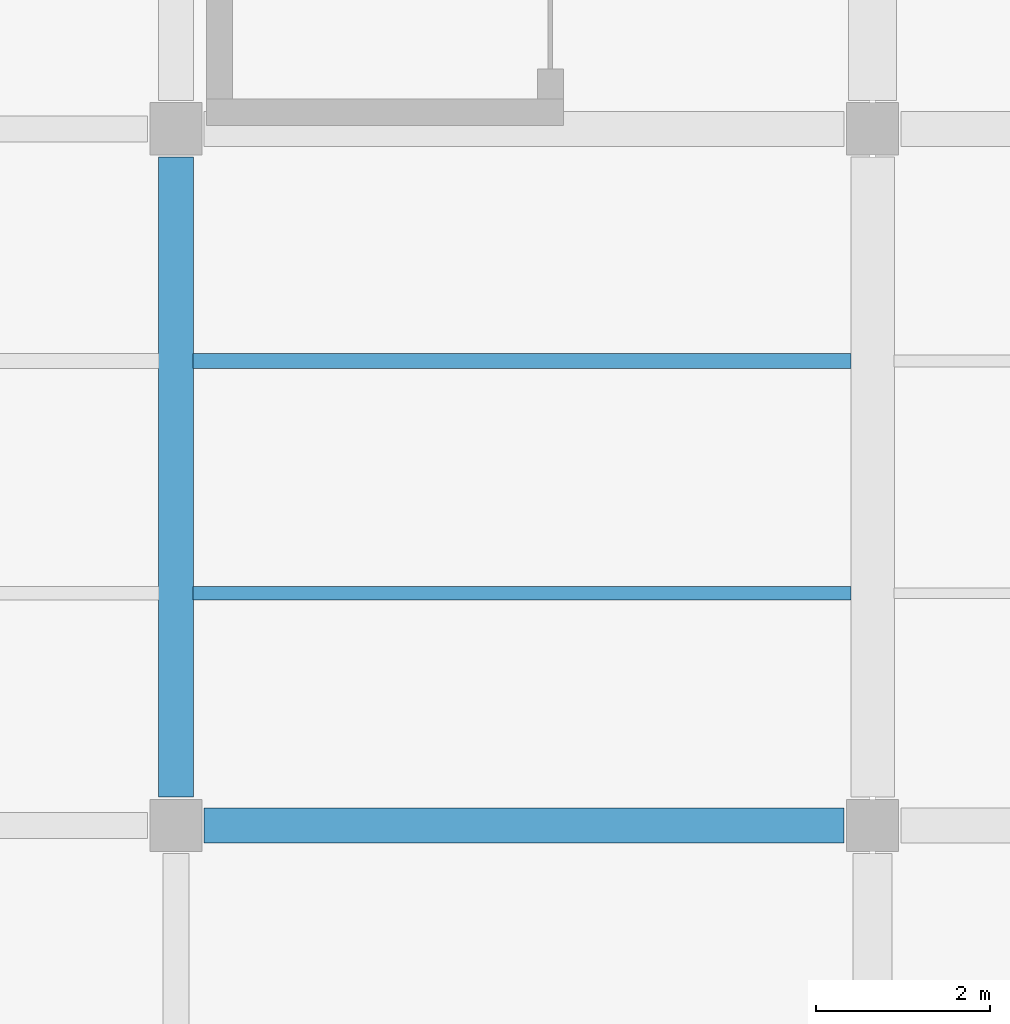
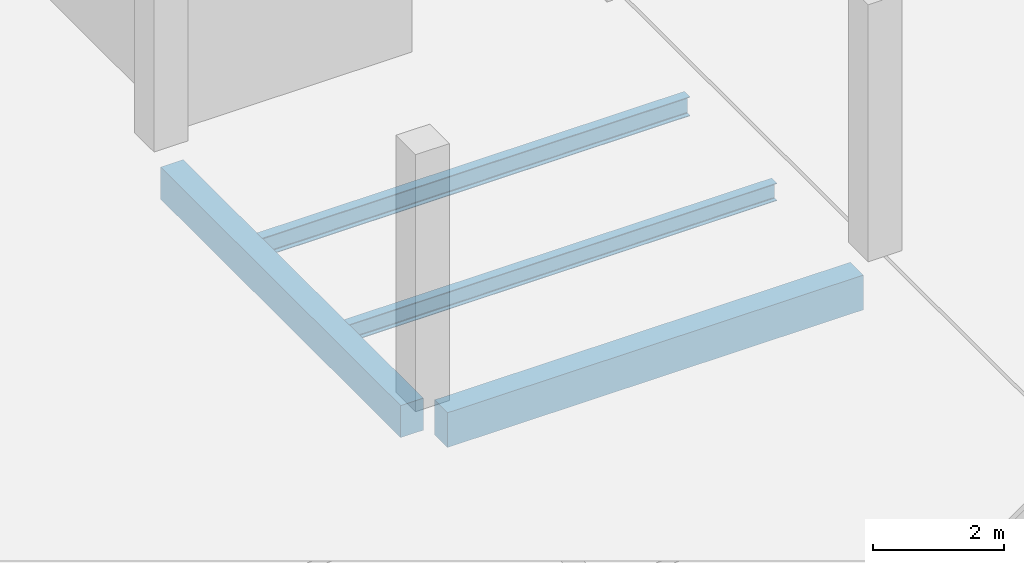
# One storey, part 44 of 156: 4 beams.
"""IFC4 building model written with IfcOpenShell, lengths in metres."""

from ifc_helpers import new_model, si_unit, direction, frame, origin, origin_2d, place, context, subcontext, project, spatial, rectangle, i_section, extrude, material, material_profile, profile_set, type_object, element, save


model = new_model("IFC4")

# Units and contexts
model_context = context("Model", 3, precision=1e-05, world=origin(), true_north=direction((0.0, 1.0)))
body_context = subcontext(model_context, "Body", "Model", "MODEL_VIEW")
ifc_project = project(units=[si_unit("LENGTHUNIT", "METRE"), si_unit("AREAUNIT", "SQUARE_METRE"), si_unit("VOLUMEUNIT", "CUBIC_METRE"), si_unit("PLANEANGLEUNIT", "RADIAN"), si_unit("MASSUNIT", "GRAM", prefix="KILO")], contexts=[model_context])

# Site, building, storey
site_placement = place(None, origin())
site = spatial("IfcSite", under=ifc_project, at=site_placement, CompositionType="ELEMENT")
building_placement = place(site_placement, origin())
building = spatial("IfcBuilding", under=site, at=building_placement, Name="Luwemba Playhouse", CompositionType="ELEMENT")
storey_placement = place(building_placement, origin())
storey = spatial("IfcBuildingStorey", under=building, at=storey_placement, Name="L00", CompositionType="ELEMENT", Elevation=0.0)

# Beams
ifc_material_1 = material(Name="Concrete C40/50", Category="concrete")
ifc_material_profile_1 = material_profile(ifc_material_1, rectangle(XDim=0.39990234375, YDim=0.60009765625, at=origin_2d()))
ifc_profile_set_1 = profile_set([ifc_material_profile_1], Name="Concrete C40/50")
beam_type_1 = type_object("IfcBeamType", Name="BM-RB01", PredefinedType="BEAM", material=ifc_profile_set_1)
beam_1_placement = place(storey_placement, frame((124.0, 11.324951171875, -0.60009765625), z_axis=(0.0, 1.0, 0.0), x_axis=(-1.0, 0.0, 0.0)))
element("IfcBeam", 1, at=beam_1_placement, inside=storey, type_object=beam_type_1, Name="L00 transverse girder 0234", PredefinedType="BEAM", context=body_context, shape_type="SweptSolid", body=[
    extrude(rectangle(XDim=0.39990234375, YDim=0.60009765625, at=origin_2d()), origin(), (0.0, 0.0, 1.0), 7.35009765625),
])
ifc_material_profile_2 = material_profile(ifc_material_1, rectangle(XDim=0.39990234375, YDim=0.64990234375, at=origin_2d()))
ifc_profile_set_2 = profile_set([ifc_material_profile_2], Name="Concrete C40/50")
beam_type_2 = type_object("IfcBeamType", Name="BM-RB02", PredefinedType="BEAM", material=ifc_profile_set_2)
beam_2_placement = place(storey_placement, frame((124.324951171875, 11.0, -0.625), z_axis=(1.0, 0.0, 0.0), x_axis=(0.0, 1.0, 0.0)))
element("IfcBeam", 2, at=beam_2_placement, inside=storey, type_object=beam_type_2, Name="L00 grid girder 0210", PredefinedType="BEAM", context=body_context, shape_type="SweptSolid", body=[
    extrude(rectangle(XDim=0.39990234375, YDim=0.64990234375, at=origin_2d()), origin(), (0.0, 0.0, 1.0), 7.35009765625),
])
ifc_material_2 = material(Name="Steel S355", Category="steel")
ifc_material_profile_3 = material_profile(ifc_material_2, i_section(OverallWidth=0.159912109375, OverallDepth=0.330078125, WebThickness=0.007568359375, FlangeThickness=0.011474609375, FilletRadius=0.01806640625, at=origin_2d()))
ifc_profile_set_3 = profile_set([ifc_material_profile_3], Name="Steel S355")
beam_type_3 = type_object("IfcBeamType", Name="BM-SJ06", PredefinedType="JOIST", material=ifc_profile_set_3)
beam_3_placement = place(storey_placement, frame((124.196044921875, 13.666748046875, -0.465087890625), z_axis=(1.0, 0.0, 0.0), x_axis=(0.0, 1.0, 0.0)))
element("IfcBeam", 3, at=beam_3_placement, inside=storey, type_object=beam_type_3, Name="L00 composite floor joist 0164", PredefinedType="JOIST", context=body_context, shape_type="SweptSolid", body=[
    extrude(i_section(OverallWidth=0.159912109375, OverallDepth=0.330078125, WebThickness=0.007568359375, FlangeThickness=0.011474609375, FilletRadius=0.01806640625, at=origin_2d()), origin(), (0.0, 0.0, 1.0), 7.557861328125),
])
ifc_material_profile_4 = material_profile(ifc_material_2, i_section(OverallWidth=0.169921875, OverallDepth=0.360107421875, WebThickness=0.008056640625, FlangeThickness=0.0126953125, FilletRadius=0.01806640625, at=origin_2d()))
ifc_profile_set_4 = profile_set([ifc_material_profile_4], Name="Steel S355")
beam_type_4 = type_object("IfcBeamType", Name="BM-SJ07", PredefinedType="JOIST", material=ifc_profile_set_4)
beam_4_placement = place(storey_placement, frame((124.196044921875, 16.333251953125, -0.47998046875), z_axis=(1.0, 0.0, 0.0), x_axis=(0.0, 1.0, 0.0)))
element("IfcBeam", 4, at=beam_4_placement, inside=storey, type_object=beam_type_4, Name="L00 composite floor joist 0165", PredefinedType="JOIST", context=body_context, shape_type="SweptSolid", body=[
    extrude(i_section(OverallWidth=0.169921875, OverallDepth=0.360107421875, WebThickness=0.008056640625, FlangeThickness=0.0126953125, FilletRadius=0.01806640625, at=origin_2d()), origin(), (0.0, 0.0, 1.0), 7.557861328125),
])

save(model, "model.ifc")
